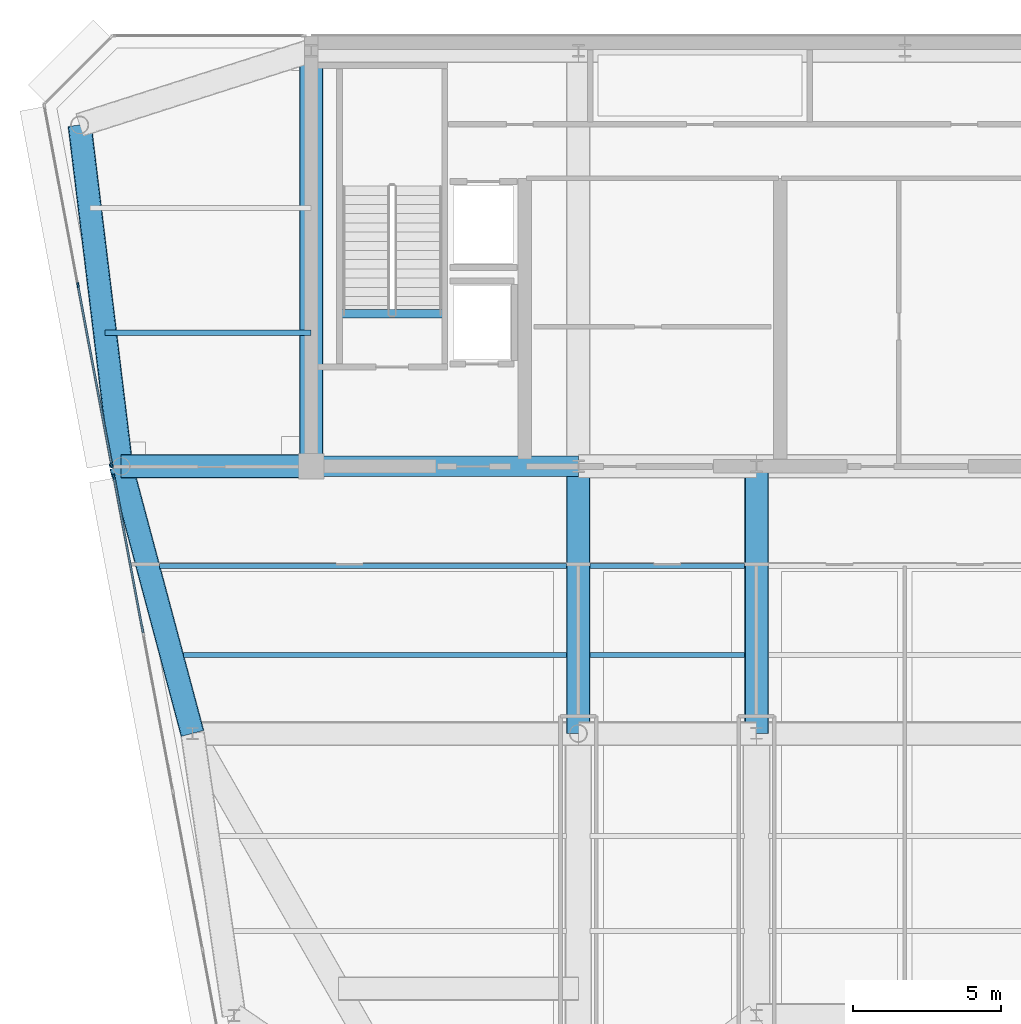
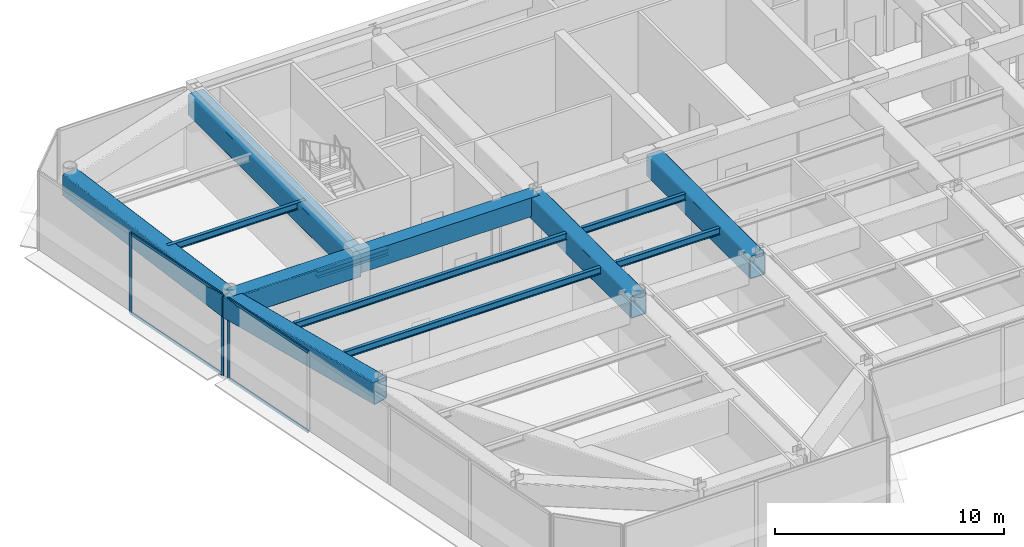
# One storey, part 4 of 20: 13 beams, 7 members, 2 elements without a shape of their own.
"""IFC4 building model written with IfcOpenShell, lengths in metres."""

import ifcopenshell
import ifcopenshell.guid

model = None  # the IFC model being written
_history = None  # IfcOwnerHistory: only IFC2X3 demands one
_inside = {}  # id of a spatial element -> (the spatial element, [elements in it])
_under = {}  # id of a project, library or spatial element -> (it, [spatial elements below it])
_declared = {}  # id of a project -> (the project, [libraries it declares])
_typed = {}  # id of a type object -> (the type object, [elements of that type])
_made_of = {}  # id of a material, layer set ... -> (it, [elements and type objects made of it])


def new_model(schema):
    """Start an empty IFC model of exactly this schema.

    Asked for "IFC4X3", IfcOpenShell would pick the latest addendum, in which some entities
    have other attributes; the version numbers below select the first issue.
    IFC2X3 requires an IfcOwnerHistory on every rooted entity: one is made here for all.
    """
    global model, _history
    if schema == "IFC4X3":
        model = ifcopenshell.file(schema_version=(4, 3, 0, 0))
    else:
        model = ifcopenshell.file(schema=schema)
    _inside.clear()
    _under.clear()
    _declared.clear()
    _typed.clear()
    _made_of.clear()
    _history = None
    if model.schema == "IFC2X3":
        org = make("IfcOrganization", Name="unknown")
        user = make(
            "IfcPersonAndOrganization",
            ThePerson=make("IfcPerson", FamilyName="unknown"),
            TheOrganization=org,
        )
        app = make(
            "IfcApplication",
            ApplicationDeveloper=org,
            Version="unknown",
            ApplicationFullName="unknown",
            ApplicationIdentifier="unknown",
        )
        _history = make(
            "IfcOwnerHistory",
            OwningUser=user,
            OwningApplication=app,
            ChangeAction="ADDED",
            CreationDate=0,
        )
    return model


def make(cls, **values):
    """One entity of the class cls with the attributes given. An attribute that is None is left unset."""
    return model.create_entity(
        cls, **{name: value for name, value in values.items() if value is not None}
    )


def rooted(cls, **values):
    """An entity with a GlobalId (a new one), such as an element, a storey or a relation."""
    return make(cls, GlobalId=ifcopenshell.guid.new(), OwnerHistory=_history, **values)


def si_unit(unit_type, name, prefix=None):
    """IfcSIUnit, for example si_unit("LENGTHUNIT", "METRE", prefix="MILLI")."""
    return make("IfcSIUnit", UnitType=unit_type, Prefix=prefix, Name=name)


def assignment(units):
    """IfcUnitAssignment: the units of a project."""
    return None if units is None else make("IfcUnitAssignment", Units=units)


def point(xyz):
    """IfcCartesianPoint."""
    return None if xyz is None else make("IfcCartesianPoint", Coordinates=xyz)


def direction(xyz):
    """IfcDirection."""
    return None if xyz is None else make("IfcDirection", DirectionRatios=xyz)


def frame(location, z_axis=None, x_axis=None):
    """IfcAxis2Placement3D, a coordinate frame: its origin and axes. An axis left out is left unset."""
    return make(
        "IfcAxis2Placement3D",
        Location=point(location),
        Axis=direction(z_axis),
        RefDirection=direction(x_axis),
    )


def frame_2d(location, x_axis=None):
    """IfcAxis2Placement2D, a coordinate frame in the plane: its origin and x axis."""
    return make(
        "IfcAxis2Placement2D", Location=point(location), RefDirection=direction(x_axis)
    )


def origin():
    """The frame at (0, 0, 0) with its axes left unset."""
    return frame((0.0, 0.0, 0.0))


def origin_2d():
    """The frame at (0, 0) in the plane with its x axis left unset."""
    return frame_2d((0.0, 0.0))


def place(relative_to, where):
    """IfcLocalPlacement: puts the frame where relative to a parent placement (None: the world)."""
    return make(
        "IfcLocalPlacement", PlacementRelTo=relative_to, RelativePlacement=where
    )


def context(
    kind, dimensions, precision=None, world=None, true_north=None, identifier=None
):
    """IfcGeometricRepresentationContext, for example the 3D "Model" context."""
    return make(
        "IfcGeometricRepresentationContext",
        ContextIdentifier=identifier,
        ContextType=kind,
        CoordinateSpaceDimension=dimensions,
        Precision=precision,
        WorldCoordinateSystem=world,
        TrueNorth=true_north,
    )


def subcontext(parent, identifier, kind, view, scale=None):
    """IfcGeometricRepresentationSubContext, for example "Body" below "Model"."""
    return make(
        "IfcGeometricRepresentationSubContext",
        ContextIdentifier=identifier,
        ContextType=kind,
        ParentContext=parent,
        TargetScale=scale,
        TargetView=view,
    )


def project(units=None, contexts=None):
    """IfcProject with its units and contexts."""
    return rooted(
        "IfcProject",
        Name="project",
        RepresentationContexts=contexts,
        UnitsInContext=assignment(units),
    )


def spatial(cls, under=None, at=None, **own):
    """A site, building, storey or space (cls), placed at a placement, below another one or the project."""
    s = rooted(cls, ObjectPlacement=at, **own)
    if under is not None:
        _under.setdefault(under.id(), (under, []))[1].append(s)
    return s


def profile(cls, at=None, kind="AREA", **sizes):
    """A parametric profile (cls). Its sizes go by their IFC names, for example OverallWidth=200.0."""
    return make(cls, ProfileType=kind, Position=at, **sizes)


def rectangle(**sizes):
    """IfcRectangleProfileDef."""
    return profile("IfcRectangleProfileDef", **sizes)


def hollow_rectangle(**sizes):
    """IfcRectangleHollowProfileDef."""
    return profile("IfcRectangleHollowProfileDef", **sizes)


def i_section(**sizes):
    """IfcIShapeProfileDef."""
    return profile("IfcIShapeProfileDef", **sizes)


def extrude(swept, where, along, depth):
    """IfcExtrudedAreaSolid: the profile swept, set in the frame where, extruded along a direction by depth."""
    return make(
        "IfcExtrudedAreaSolid",
        SweptArea=swept,
        Position=where,
        ExtrudedDirection=direction(along),
        Depth=depth,
    )


def shape(context_of_items, identifier, shape_type, items):
    """IfcShapeRepresentation: the items that make up one representation, for example the "Body"."""
    return make(
        "IfcShapeRepresentation",
        ContextOfItems=context_of_items,
        RepresentationIdentifier=identifier,
        RepresentationType=shape_type,
        Items=items,
    )


def source(mapping_origin, context_of_items, identifier, shape_type, items):
    """IfcRepresentationMap: a shape defined once, which mapped items show again and again."""
    return make(
        "IfcRepresentationMap",
        MappingOrigin=mapping_origin,
        MappedRepresentation=shape(context_of_items, identifier, shape_type, items),
    )


def transform(
    local_origin,
    x_axis=None,
    y_axis=None,
    z_axis=None,
    scale=None,
    scale2=None,
    scale3=None,
    uniform=True,
):
    """IfcCartesianTransformationOperator3D, or its non-uniform kind. x_axis, y_axis, z_axis: its Axis1, 2, 3."""
    if uniform:
        return make(
            "IfcCartesianTransformationOperator3D",
            Axis1=direction(x_axis),
            Axis2=direction(y_axis),
            LocalOrigin=point(local_origin),
            Scale=scale,
            Axis3=direction(z_axis),
        )
    return make(
        "IfcCartesianTransformationOperator3DnonUniform",
        Axis1=direction(x_axis),
        Axis2=direction(y_axis),
        LocalOrigin=point(local_origin),
        Scale=scale,
        Axis3=direction(z_axis),
        Scale2=scale2,
        Scale3=scale3,
    )


def mapped(mapping_source, mapping_target):
    """IfcMappedItem: shows the shape of a source again, moved by a transform."""
    return make(
        "IfcMappedItem", MappingSource=mapping_source, MappingTarget=mapping_target
    )


def material(Name=None, Category=None):
    """IfcMaterial."""
    return make("IfcMaterial", Name=Name, Category=Category)


def layer(
    of_material, thickness, ventilated=None, Name=None, Category=None, Priority=None
):
    """IfcMaterialLayer: one layer of a wall or slab, of a material (None: an air gap)."""
    return make(
        "IfcMaterialLayer",
        Material=of_material,
        LayerThickness=thickness,
        IsVentilated=ventilated,
        Name=Name,
        Category=Category,
        Priority=Priority,
    )


def layer_set(layers, Name=None):
    """IfcMaterialLayerSet."""
    return make("IfcMaterialLayerSet", MaterialLayers=layers, LayerSetName=Name)


def material_profile(
    of_material, cross_section, Name=None, Category=None, Priority=None
):
    """IfcMaterialProfile: a cross section and its material."""
    return make(
        "IfcMaterialProfile",
        Name=Name,
        Material=of_material,
        Profile=cross_section,
        Priority=Priority,
        Category=Category,
    )


def profile_set(profiles, Name=None, composite=None):
    """IfcMaterialProfileSet."""
    return make(
        "IfcMaterialProfileSet",
        Name=Name,
        MaterialProfiles=profiles,
        CompositeProfile=composite,
    )


def made_of(thing, what):
    """Note that an element or type object is made of a material, layer set ...; save() writes the relation."""
    if what is not None:
        _made_of.setdefault(what.id(), (what, []))[1].append(thing)
    return thing


def type_object(cls, material=None, **own):
    """A type object (cls), such as IfcWallType, which elements share."""
    return made_of(rooted(cls, **own), material)


def element(
    cls,
    number,
    at=None,
    inside=None,
    cuts=None,
    type_object=None,
    material=None,
    context=None,
    identifier="Body",
    shape_type=None,
    held_by="IfcProductDefinitionShape",
    body=None,
    shapes=None,
    **own,
):
    """One element of the class cls, such as IfcWall. Its Tag is "e" and its number.

    at: its placement. inside: the storey or other place that contains it. cuts: it is an
    opening in that element (IfcRelVoidsElement). A single representation is given by context,
    identifier, shape_type and body (its items); several are given by shapes. held_by: the class
    of the entity that holds the representations. save() writes the other relations.
    """
    e = rooted(cls, Tag="e%d" % number, ObjectPlacement=at, **own)
    if body is not None:
        shapes = [shape(context, identifier, shape_type, body)]
    if shapes is not None:
        e.Representation = make(held_by, Representations=shapes)
    if inside is not None:
        _inside.setdefault(inside.id(), (inside, []))[1].append(e)
    if cuts is not None:
        rooted(
            "IfcRelVoidsElement", RelatingBuildingElement=cuts, RelatedOpeningElement=e
        )
    if type_object is not None:
        _typed.setdefault(type_object.id(), (type_object, []))[1].append(e)
    return made_of(e, material)


def aggregate(whole, parts):
    """IfcRelAggregates: a whole, such as a stair, and the parts it consists of."""
    return rooted("IfcRelAggregates", RelatingObject=whole, RelatedObjects=parts)


def save(model, path):
    """Write the relations noted so far, then the file.

    IfcRelAggregates (storeys below a building ...), IfcRelContainedInSpatialStructure (elements
    in a storey), IfcRelDefinesByType, IfcRelAssociatesMaterial and IfcRelDeclares: one each for
    every whole, place, type object, material and project.
    """
    for whole, parts in _under.values():
        aggregate(whole, parts)
    for where, things in _inside.values():
        rooted(
            "IfcRelContainedInSpatialStructure",
            RelatedElements=things,
            RelatingStructure=where,
        )
    for kind, things in _typed.values():
        rooted("IfcRelDefinesByType", RelatedObjects=things, RelatingType=kind)
    for what, things in _made_of.values():
        rooted("IfcRelAssociatesMaterial", RelatedObjects=things, RelatingMaterial=what)
    for by, libraries in _declared.values():
        rooted("IfcRelDeclares", RelatingContext=by, RelatedDefinitions=libraries)
    model.write(path)


model = new_model("IFC4")

# Units and contexts
model_context = context("Model", 3, precision=1e-05, world=origin(), true_north=direction((0.0, 1.0)))
body_context = subcontext(model_context, "Body", "Model", "MODEL_VIEW")
ifc_project = project(units=[si_unit("LENGTHUNIT", "METRE"), si_unit("AREAUNIT", "SQUARE_METRE"), si_unit("VOLUMEUNIT", "CUBIC_METRE"), si_unit("PLANEANGLEUNIT", "RADIAN"), si_unit("MASSUNIT", "GRAM", prefix="KILO")], contexts=[model_context])

# Site, building, storey
site_placement = place(None, origin())
site = spatial("IfcSite", under=ifc_project, at=site_placement, CompositionType="ELEMENT")
building_placement = place(site_placement, origin())
building = spatial("IfcBuilding", under=site, at=building_placement, Name="Vaeldorn Concourse Tower", CompositionType="ELEMENT")
storey_placement = place(building_placement, frame((0.0, 0.0, 299.199951171875)))
storey = spatial("IfcBuildingStorey", under=building, at=storey_placement, Name="L77", CompositionType="ELEMENT", Elevation=299.199951171875)

# Beams
ifc_material_1 = material(Name="Concrete C50/60", Category="concrete")
ifc_material_profile_1 = material_profile(ifc_material_1, rectangle(XDim=0.699951171875, YDim=1.0, at=origin_2d()), Name="RC 700x1000")
ifc_profile_set_1 = profile_set([ifc_material_profile_1], Name="Concrete C50/60")
beam_type_1 = type_object("IfcBeamType", Name="BM-CB-RC700", PredefinedType="BEAM", material=ifc_profile_set_1)
shared_shape_1 = source(origin(), body_context, "Body", "SweptSolid", [
    extrude(rectangle(XDim=0.699951171875, YDim=1.0, at=origin_2d()), origin(), (0.0, 0.0, 1.0), 9.0),
])
beam_1_placement = place(storey_placement, frame((14.0, 36.5, 3.800048828125), z_axis=(1.0, 0.0, 0.0), x_axis=(0.0, 1.0, 0.0)))
element("IfcBeam", 1, at=beam_1_placement, inside=storey, type_object=beam_type_1, Name="Core Coupling Beam L77-1", PredefinedType="BEAM", context=body_context, shape_type="MappedRepresentation", body=[
    mapped(shared_shape_1, transform((0.0, 0.0, 0.0), scale=1.0)),
])
ifc_material_2 = material(Name="Steel S355", Category="steel")
ifc_material_profile_2 = material_profile(ifc_material_2, i_section(OverallWidth=0.300048828125, OverallDepth=0.340087890625, WebThickness=0.011962890625, FlangeThickness=0.021484375, FilletRadius=0.027099609375, at=origin_2d()), Name="HEB 340")
ifc_profile_set_2 = profile_set([ifc_material_profile_2], Name="Steel S355")
beam_type_2 = type_object("IfcBeamType", Name="BM-ST-TRIM", PredefinedType="BEAM", material=ifc_profile_set_2)
shared_shape_2 = source(origin(), body_context, "Body", "SweptSolid", [
    extrude(i_section(OverallWidth=0.300048828125, OverallDepth=0.340087890625, WebThickness=0.011962890625, FlangeThickness=0.021484375, FilletRadius=0.027099609375, at=origin_2d()), origin(), (0.0, 0.0, 1.0), 3.590087890625),
])
beam_2_placement = place(storey_placement, frame((14.929931640625, 41.639892578125, -0.389892578125), z_axis=(1.0, 0.0, 0.0), x_axis=(0.0, 1.0, 0.0)))
element("IfcBeam", 2, at=beam_2_placement, inside=storey, type_object=beam_type_2, Name="Stair Landing Trimmer Beam ST-1 L77", PredefinedType="BEAM", context=body_context, shape_type="MappedRepresentation", body=[
    mapped(shared_shape_2, transform((0.0, 0.0, 0.0), scale=1.0)),
])
ifc_material_3 = material(Name="Steel S460", Category="steel")
ifc_material_profile_3 = material_profile(ifc_material_3, hollow_rectangle(XDim=0.800048828125, YDim=1.199951171875, WallThickness=0.044921875, InnerFilletRadius=0.044921875, OuterFilletRadius=0.090087890625, at=origin_2d()), Name="RHS 1200x800x45")
ifc_profile_set_3 = profile_set([ifc_material_profile_3], Name="Steel S460")
beam_type_3 = type_object("IfcBeamType", Name="BM-TG-RHS1200", PredefinedType="BEAM", material=ifc_profile_set_3)
shared_shape_3 = source(origin(), body_context, "Body", "SweptSolid", [
    extrude(hollow_rectangle(XDim=0.800048828125, YDim=1.199951171875, WallThickness=0.044921875, InnerFilletRadius=0.044921875, OuterFilletRadius=0.090087890625, at=origin_2d()), origin(), (0.0, 0.0, 1.0), 9.0),
])
for number, where, z_axis, x_axis, name in (
    (3, (23.0, 27.5, 3.699951171875), (0.0, 1.0, 0.0), (-1.0, 0.0, 0.0), "Beam BM-L77-C-TW1-C-FC2"),
    (4, (29.0, 27.5, 3.699951171875), (0.0, 1.0, 0.0), (-1.0, 0.0, 0.0), "Beam BM-L77-C-TW2-C-FC3"),
):
    element("IfcBeam", number, at=place(storey_placement, frame(where, z_axis=z_axis, x_axis=x_axis)), inside=storey, type_object=beam_type_3, Name=name, PredefinedType="BEAM", context=body_context, shape_type="MappedRepresentation", body=[
        mapped(shared_shape_3, transform((0.0, 0.0, 0.0), scale=1.0)),
    ])
shared_shape_4 = source(origin(), body_context, "Body", "SweptSolid", [
    extrude(hollow_rectangle(XDim=0.800048828125, YDim=1.199951171875, WallThickness=0.044921875, InnerFilletRadius=0.044921875, OuterFilletRadius=0.090087890625, at=origin_2d()), origin(), (0.0, 0.0, 1.0), 14.0),
])
beam_3_placement = place(storey_placement, frame((14.0, 36.5, 3.699951171875), z_axis=(0.0, 1.0, 0.0), x_axis=(-1.0, 0.0, 0.0)))
element("IfcBeam", 5, at=beam_3_placement, inside=storey, type_object=beam_type_3, Name="Beam BM-L77-C-FC1-C-HC1", PredefinedType="BEAM", context=body_context, shape_type="MappedRepresentation", body=[
    mapped(shared_shape_4, transform((0.0, 0.0, 0.0), scale=1.0)),
])
shared_shape_5 = source(origin(), body_context, "Body", "SweptSolid", [
    extrude(hollow_rectangle(XDim=0.800048828125, YDim=1.199951171875, WallThickness=0.044921875, InnerFilletRadius=0.044921875, OuterFilletRadius=0.090087890625, at=origin_2d()), origin(), (0.0, 0.0, 1.0), 6.39990234375),
])
beam_4_placement = place(storey_placement, frame((7.60009765625, 36.5, 3.699951171875), z_axis=(1.0, 0.0, 0.0), x_axis=(0.0, 1.0, 0.0)))
element("IfcBeam", 6, at=beam_4_placement, inside=storey, type_object=beam_type_3, Name="Beam BM-L77-C-NW2-C-FC1", PredefinedType="BEAM", context=body_context, shape_type="MappedRepresentation", body=[
    mapped(shared_shape_5, transform((0.0, 0.0, 0.0), scale=1.0)),
])
shared_shape_6 = source(origin(), body_context, "Body", "SweptSolid", [
    extrude(hollow_rectangle(XDim=0.800048828125, YDim=1.199951171875, WallThickness=0.044921875, InnerFilletRadius=0.044921875, OuterFilletRadius=0.090087890625, at=origin_2d()), origin(), (0.0, 0.0, 1.0), 11.5849609375),
])
beam_5_placement = place(storey_placement, frame((6.199951171875, 48.0, 3.699951171875), z_axis=(0.120859382899, -0.992669637677, 0.0), x_axis=(0.992669637677, 0.120859382899, 0.0)))
element("IfcBeam", 7, at=beam_5_placement, inside=storey, type_object=beam_type_3, Name="Beam BM-L77-C-NW1-C-NW2", PredefinedType="BEAM", context=body_context, shape_type="MappedRepresentation", body=[
    mapped(shared_shape_6, transform((0.0, 0.0, 0.0), scale=1.0)),
])
shared_shape_7 = source(origin(), body_context, "Body", "SweptSolid", [
    extrude(hollow_rectangle(XDim=0.800048828125, YDim=1.199951171875, WallThickness=0.044921875, InnerFilletRadius=0.044921875, OuterFilletRadius=0.090087890625, at=origin_2d()), origin(), (0.0, 0.0, 1.0), 9.314453125),
])
beam_6_placement = place(storey_placement, frame((7.60009765625, 36.5, 3.699951171875), z_axis=(0.257652862255, -0.966237549763, 0.0), x_axis=(0.966237549763, 0.257652862255, 0.0)))
element("IfcBeam", 8, at=beam_6_placement, inside=storey, type_object=beam_type_3, Name="Beam BM-L77-C-NW2-C-FLW1", PredefinedType="BEAM", context=body_context, shape_type="MappedRepresentation", body=[
    mapped(shared_shape_7, transform((0.0, 0.0, 0.0), scale=1.0)),
])
ifc_material_profile_4 = material_profile(ifc_material_2, i_section(OverallWidth=0.169921875, OverallDepth=0.360107421875, WebThickness=0.008056640625, FlangeThickness=0.0126953125, FilletRadius=0.01806640625, at=origin_2d()), Name="IPE 360")
ifc_profile_set_4 = profile_set([ifc_material_profile_4], Name="Steel S355")
beam_type_4 = type_object("IfcBeamType", Name="BM-JS-IPE360", PredefinedType="JOIST", material=ifc_profile_set_4)
shared_shape_8 = source(origin(), body_context, "Body", "SweptSolid", [
    extrude(i_section(OverallWidth=0.169921875, OverallDepth=0.360107421875, WebThickness=0.008056640625, FlangeThickness=0.0126953125, FilletRadius=0.01806640625, at=origin_2d()), origin(), (0.0, 0.0, 1.0), 5.2001953125),
])
for number, where, z_axis, x_axis, name in (
    (9, (23.39990234375, 30.139892578125, 4.1201171875), (1.0, 0.0, 0.0), (0.0, 1.0, 0.0), "Beam JS-L77-W2-301"),
    (10, (23.39990234375, 33.139892578125, 4.1201171875), (1.0, 0.0, 0.0), (0.0, 1.0, 0.0), "Beam JS-L77-W2-331"),
):
    element("IfcBeam", number, at=place(storey_placement, frame(where, z_axis=z_axis, x_axis=x_axis)), inside=storey, type_object=beam_type_4, Name=name, PredefinedType="JOIST", context=body_context, shape_type="MappedRepresentation", body=[
        mapped(shared_shape_8, transform((0.0, 0.0, 0.0), scale=1.0)),
    ])
shared_shape_9 = source(origin(), body_context, "Body", "SweptSolid", [
    extrude(i_section(OverallWidth=0.169921875, OverallDepth=0.360107421875, WebThickness=0.008056640625, FlangeThickness=0.0126953125, FilletRadius=0.01806640625, at=origin_2d()), origin(), (0.0, 0.0, 1.0), 6.94775390625),
])
beam_7_placement = place(storey_placement, frame((7.05224609375, 41.0, 4.1201171875), z_axis=(1.0, 0.0, 0.0), x_axis=(0.0, 1.0, 0.0)))
element("IfcBeam", 11, at=beam_7_placement, inside=storey, type_object=beam_type_4, Name="Beam JS-L77-NW-410", PredefinedType="JOIST", context=body_context, shape_type="MappedRepresentation", body=[
    mapped(shared_shape_9, transform((0.0, 0.0, 0.0), scale=1.0)),
])
shared_shape_10 = source(origin(), body_context, "Body", "SweptSolid", [
    extrude(i_section(OverallWidth=0.169921875, OverallDepth=0.360107421875, WebThickness=0.008056640625, FlangeThickness=0.0126953125, FilletRadius=0.01806640625, at=origin_2d()), origin(), (0.0, 0.0, 1.0), 12.904052734375),
])
beam_8_placement = place(storey_placement, frame((9.696044921875, 30.139892578125, 4.1201171875), z_axis=(1.0, 0.0, 0.0), x_axis=(0.0, 1.0, 0.0)))
element("IfcBeam", 12, at=beam_8_placement, inside=storey, type_object=beam_type_4, Name="Beam JS-L77-W1-301", PredefinedType="JOIST", context=body_context, shape_type="MappedRepresentation", body=[
    mapped(shared_shape_10, transform((0.0, 0.0, 0.0), scale=1.0)),
])
shared_shape_11 = source(origin(), body_context, "Body", "SweptSolid", [
    extrude(i_section(OverallWidth=0.169921875, OverallDepth=0.360107421875, WebThickness=0.008056640625, FlangeThickness=0.0126953125, FilletRadius=0.01806640625, at=origin_2d()), origin(), (0.0, 0.0, 1.0), 13.7041015625),
])
beam_9_placement = place(storey_placement, frame((8.89599609375, 33.139892578125, 4.1201171875), z_axis=(1.0, 0.0, 0.0), x_axis=(0.0, 1.0, 0.0)))
element("IfcBeam", 13, at=beam_9_placement, inside=storey, type_object=beam_type_4, Name="Beam JS-L77-W1-331", PredefinedType="JOIST", context=body_context, shape_type="MappedRepresentation", body=[
    mapped(shared_shape_11, transform((0.0, 0.0, 0.0), scale=1.0)),
])

# Curtain wall, members
ifc_material_4 = material(Name="Anodised Bronze Aluminium", Category="aluminium")
ifc_layer = layer(ifc_material_4, 0.179931640625)
ifc_layer_set = layer_set([ifc_layer], Name="Anodised Bronze Aluminium")
curtain_wall_type = type_object("IfcCurtainWallType", Name="CW-SYS-05", PredefinedType="NOTDEFINED", material=ifc_layer_set)
curtain_wall_1_placement = place(storey_placement, origin())
curtain_wall_1 = element("IfcCurtainWall", 14, at=curtain_wall_1_placement, inside=storey, type_object=curtain_wall_type, Name="Unitised Curtain Wall CW-L77-E11-2", PredefinedType="NOTDEFINED")
ifc_material_profile_5 = material_profile(ifc_material_4, rectangle(XDim=0.06494140625, YDim=0.14990234375, at=origin_2d()), Name="CWT 65x150")
ifc_profile_set_5 = profile_set([ifc_material_profile_5], Name="Anodised Bronze Aluminium")
member_type_1 = type_object("IfcMemberType", Name="CWT-BRONZE-150", PredefinedType="USERDEFINED", material=ifc_profile_set_5)
shared_shape_12 = source(origin(), body_context, "Body", "SweptSolid", [
    extrude(rectangle(XDim=0.06494140625, YDim=0.14990234375, at=origin_2d()), origin(), (0.0, 0.0, 1.0), 5.31640625),
])
member_1_placement = place(storey_placement, frame((7.35791015625, 36.12109375, 0.032470703125), z_axis=(0.184241399207, -0.982881023735, 0.0), x_axis=(0.982881023735, 0.184241399207, 0.0)))
member_1 = element("IfcMember", 15, at=member_1_placement, type_object=member_type_1, Name="CW-05 transom 1.1", ObjectType="TRANSOM", PredefinedType="USERDEFINED", context=body_context, shape_type="MappedRepresentation", body=[
    mapped(shared_shape_12, transform((0.0, 0.0, 0.0), scale=1.0)),
])
member_2_placement = place(storey_placement, frame((7.35791015625, 36.12109375, 4.267578125), z_axis=(0.184241399207, -0.982881023735, 0.0), x_axis=(0.982881023735, 0.184241399207, 0.0)))
member_2 = element("IfcMember", 16, at=member_2_placement, type_object=member_type_1, Name="CW-05 transom 1.2", ObjectType="TRANSOM", PredefinedType="USERDEFINED", context=body_context, shape_type="MappedRepresentation", body=[
    mapped(shared_shape_12, transform((0.0, 0.0, 0.0), scale=1.0)),
])

curtain_wall_2_placement = place(storey_placement, origin())
curtain_wall_2 = element("IfcCurtainWall", 17, at=curtain_wall_2_placement, inside=storey, type_object=curtain_wall_type, Name="Unitised Curtain Wall CW-L77-E11-1", PredefinedType="NOTDEFINED")
shared_shape_13 = source(origin(), body_context, "Body", "SweptSolid", [
    extrude(rectangle(XDim=0.06494140625, YDim=0.14990234375, at=origin_2d()), origin(), (0.0, 0.0, 1.0), 6.103515625),
])
member_3_placement = place(storey_placement, frame((6.1484375, 42.5732421875, 0.032470703125), z_axis=(0.18424023288, -0.982881242363, 0.0), x_axis=(0.982881242363, 0.18424023288, 0.0)))
member_3 = element("IfcMember", 18, at=member_3_placement, type_object=member_type_1, Name="CW-05 transom 2.1", ObjectType="TRANSOM", PredefinedType="USERDEFINED", context=body_context, shape_type="MappedRepresentation", body=[
    mapped(shared_shape_13, transform((0.0, 0.0, 0.0), scale=1.0)),
])
member_4_placement = place(storey_placement, frame((6.1484375, 42.5732421875, 4.267578125), z_axis=(0.18424023288, -0.982881242363, 0.0), x_axis=(0.982881242363, 0.18424023288, 0.0)))
member_4 = element("IfcMember", 19, at=member_4_placement, type_object=member_type_1, Name="CW-05 transom 2.2", ObjectType="TRANSOM", PredefinedType="USERDEFINED", context=body_context, shape_type="MappedRepresentation", body=[
    mapped(shared_shape_13, transform((0.0, 0.0, 0.0), scale=1.0)),
])
ifc_material_profile_6 = material_profile(ifc_material_4, rectangle(XDim=0.06494140625, YDim=0.169921875, at=origin_2d()), Name="CWM 65x170")
ifc_profile_set_6 = profile_set([ifc_material_profile_6], Name="Anodised Bronze Aluminium")
member_type_2 = type_object("IfcMemberType", Name="CWM-BRONZE-170", PredefinedType="MULLION", material=ifc_profile_set_6)
shared_shape_14 = source(origin(), body_context, "Body", "SweptSolid", [
    extrude(rectangle(XDim=0.06494140625, YDim=0.169921875, at=origin_2d()), origin(), (0.0, 0.0, 1.0), 4.300048828125),
])
member_5_placement = place(storey_placement, frame((6.142578125, 42.605224609375, 0.0), z_axis=(0.0, 0.0, 1.0), x_axis=(0.982880218842, 0.184245693053, 0.0)))
member_5 = element("IfcMember", 20, at=member_5_placement, type_object=member_type_2, Name="CW-05 mullion 2", PredefinedType="MULLION", context=body_context, shape_type="MappedRepresentation", body=[
    mapped(shared_shape_14, transform((0.0, 0.0, 0.0), scale=1.0)),
])
member_6_placement = place(storey_placement, frame((7.279052734375, 36.542236328125, 0.0), z_axis=(0.0, 0.0, 1.0), x_axis=(0.982880218842, 0.184245693053, 0.0)))
member_6 = element("IfcMember", 21, at=member_6_placement, type_object=member_type_2, Name="CW-05 mullion 3", PredefinedType="MULLION", context=body_context, shape_type="MappedRepresentation", body=[
    mapped(shared_shape_14, transform((0.0, 0.0, 0.0), scale=1.0)),
])
aggregate(curtain_wall_2, [member_5, member_6, member_3, member_4])

# Member
member_7_placement = place(storey_placement, frame((7.35205078125, 36.153076171875, 0.0), z_axis=(0.0, 0.0, 1.0), x_axis=(0.982880027444, 0.184246714088, 0.0)))
member_7 = element("IfcMember", 22, at=member_7_placement, type_object=member_type_2, Name="CW-05 mullion 1", PredefinedType="MULLION", context=body_context, shape_type="MappedRepresentation", body=[
    mapped(shared_shape_14, transform((0.0, 0.0, 0.0), scale=1.0)),
])

aggregate(curtain_wall_1, [member_7, member_1, member_2])

save(model, "model.ifc")
